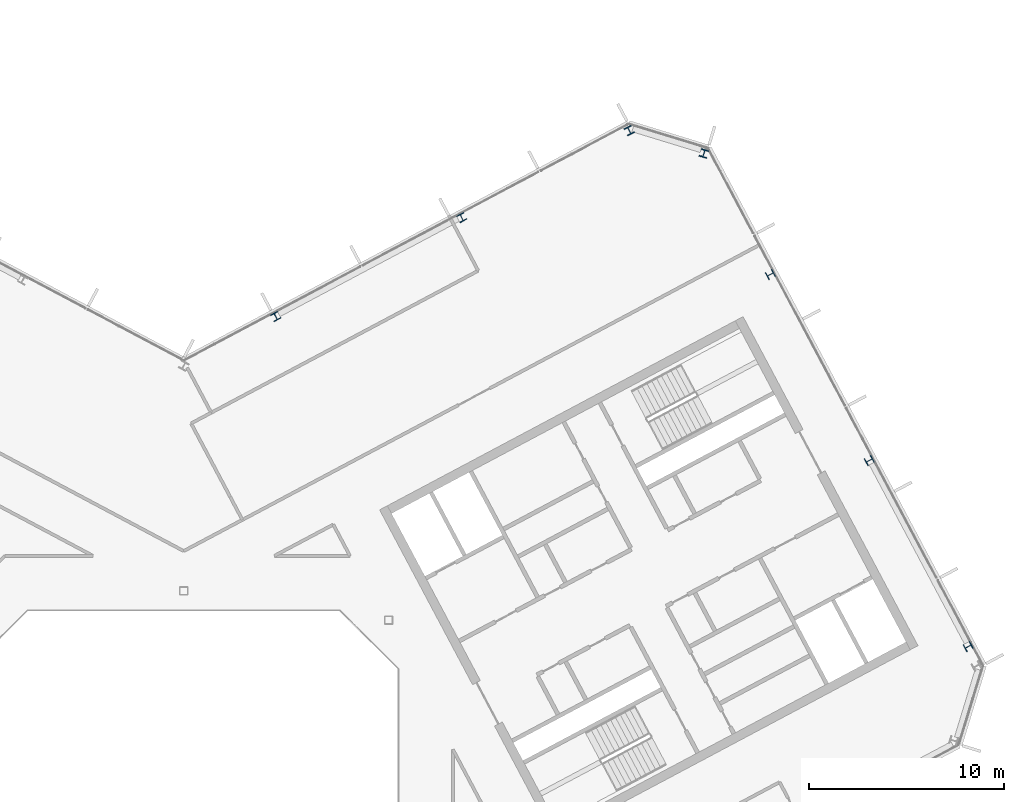
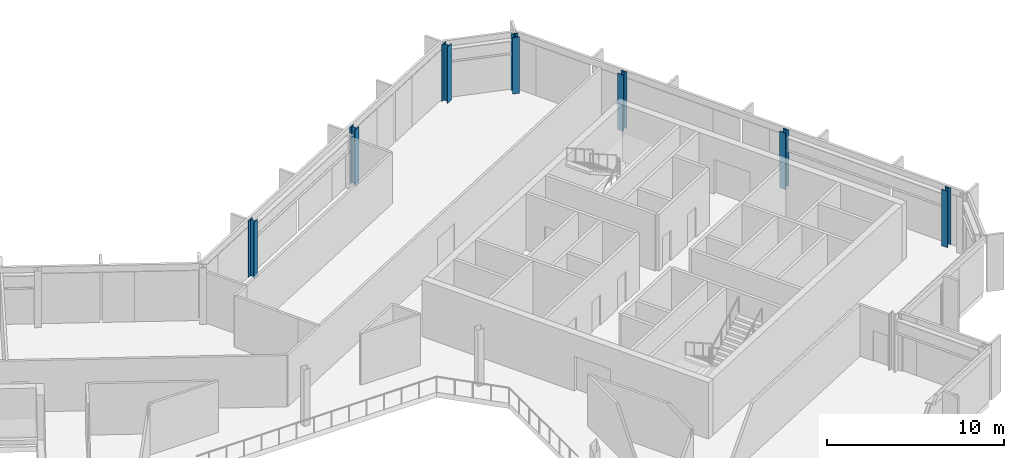
# One storey, part 7 of 25: 7 columns.
"""IFC4 building model written with IfcOpenShell, lengths in metres."""

from ifc_helpers import new_model, si_unit, direction, frame, origin, origin_2d, place, context, subcontext, project, spatial, i_section, extrude, material, material_profile, profile_set, type_object, element, save


model = new_model("IFC4")

# Units and contexts
model_context = context("Model", 3, precision=1e-05, world=origin(), true_north=direction((0.0, 1.0)))
body_context = subcontext(model_context, "Body", "Model", "MODEL_VIEW")
ifc_project = project(units=[si_unit("LENGTHUNIT", "METRE"), si_unit("AREAUNIT", "SQUARE_METRE"), si_unit("VOLUMEUNIT", "CUBIC_METRE"), si_unit("PLANEANGLEUNIT", "RADIAN"), si_unit("MASSUNIT", "GRAM", prefix="KILO")], contexts=[model_context])

# Site, building, storey
site_placement = place(None, origin())
site = spatial("IfcSite", under=ifc_project, at=site_placement, CompositionType="ELEMENT")
building_placement = place(site_placement, origin())
building = spatial("IfcBuilding", under=site, at=building_placement, Name="Cormorant Relay Tower", CompositionType="ELEMENT")
storey_placement = place(building_placement, frame((0.0, 0.0, 297.0)))
storey = spatial("IfcBuildingStorey", under=building, at=storey_placement, Name="L67", CompositionType="ELEMENT", Elevation=297.0)

# Columns
ifc_material_1 = material(Name="Steel ASTM A992 (Fy 345 MPa)", Category="steel")
ifc_material_profile_1 = material_profile(ifc_material_1, i_section(OverallWidth=0.398681640625, OverallDepth=0.385986328125, WebThickness=0.02099609375, FlangeThickness=0.033203125, FilletRadius=0.01513671875, at=origin_2d()), Name="W360x262")
ifc_profile_set_1 = profile_set([ifc_material_profile_1], Name="Steel ASTM A992 (Fy 345 MPa)")
column_type_1 = type_object("IfcColumnType", Name="Column W360x262", PredefinedType="COLUMN", material=ifc_profile_set_1)
for number, where, z_axis, x_axis, name in (
    (1, (40.2119140625, 9.14892578125, 0.0), (0.0, 0.0, 1.0), (-0.469471562786, 0.882947592859, 0.0), "Column L67-021"),
    (2, (35.14111328125, 18.68505859375, 0.0), (0.0, 0.0, 1.0), (-0.469471562786, 0.882947592859, 0.0), "Column L67-027"),
    (3, (4.715087890625, 26.06494140625, 0.0), (0.0, 0.0, 1.0), (-0.882947592859, -0.469471562786, 0.0), "Column L67-031"),
    (4, (30.071044921875, 28.220947265625, 0.0), (0.0, 0.0, 1.0), (-0.469471562786, 0.882947592859, 0.0), "Column L67-033"),
    (5, (14.2509765625, 31.135009765625, 0.0), (0.0, 0.0, 1.0), (-0.882947592859, -0.469471562786, 0.0), "Column L67-035"),
):
    element("IfcColumn", number, at=place(storey_placement, frame(where, z_axis=z_axis, x_axis=x_axis)), inside=storey, type_object=column_type_1, Name=name, PredefinedType="COLUMN", context=body_context, shape_type="SweptSolid", body=[
        extrude(i_section(OverallWidth=0.398681640625, OverallDepth=0.385986328125, WebThickness=0.02099609375, FlangeThickness=0.033203125, FilletRadius=0.01513671875, at=origin_2d()), origin(), (0.0, 0.0, 1.0), 3.89990234375),
    ])
ifc_material_2 = material(Name="Steel ASTM A992 (Fy 345 MPa)", Category="steel")
ifc_material_profile_2 = material_profile(ifc_material_2, i_section(OverallWidth=0.40380859375, OverallDepth=0.406494140625, WebThickness=0.027099609375, FlangeThickness=0.043701171875, FilletRadius=0.01513671875, at=origin_2d()), Name="W360x347")
ifc_profile_set_2 = profile_set([ifc_material_profile_2], Name="Steel ASTM A992 (Fy 345 MPa)")
column_type_2 = type_object("IfcColumnType", Name="Column W360x347", PredefinedType="COLUMN", material=ifc_profile_set_2)
for number, where, z_axis, x_axis, name in (
    (6, (26.6640625, 34.425048828125, 0.0), (0.0, 0.0, 1.0), (-0.956304755963, 0.292371704723, 0.0), "Column L67-038"),
    (7, (22.841064453125, 35.593994140625, 0.0), (0.0, 0.0, 1.0), (-0.882947592859, -0.469471562786, 0.0), "Column L67-039"),
):
    element("IfcColumn", number, at=place(storey_placement, frame(where, z_axis=z_axis, x_axis=x_axis)), inside=storey, type_object=column_type_2, Name=name, PredefinedType="COLUMN", context=body_context, shape_type="SweptSolid", body=[
        extrude(i_section(OverallWidth=0.40380859375, OverallDepth=0.406494140625, WebThickness=0.027099609375, FlangeThickness=0.043701171875, FilletRadius=0.01513671875, at=origin_2d()), origin(), (0.0, 0.0, 1.0), 3.89990234375),
    ])

save(model, "model.ifc")
